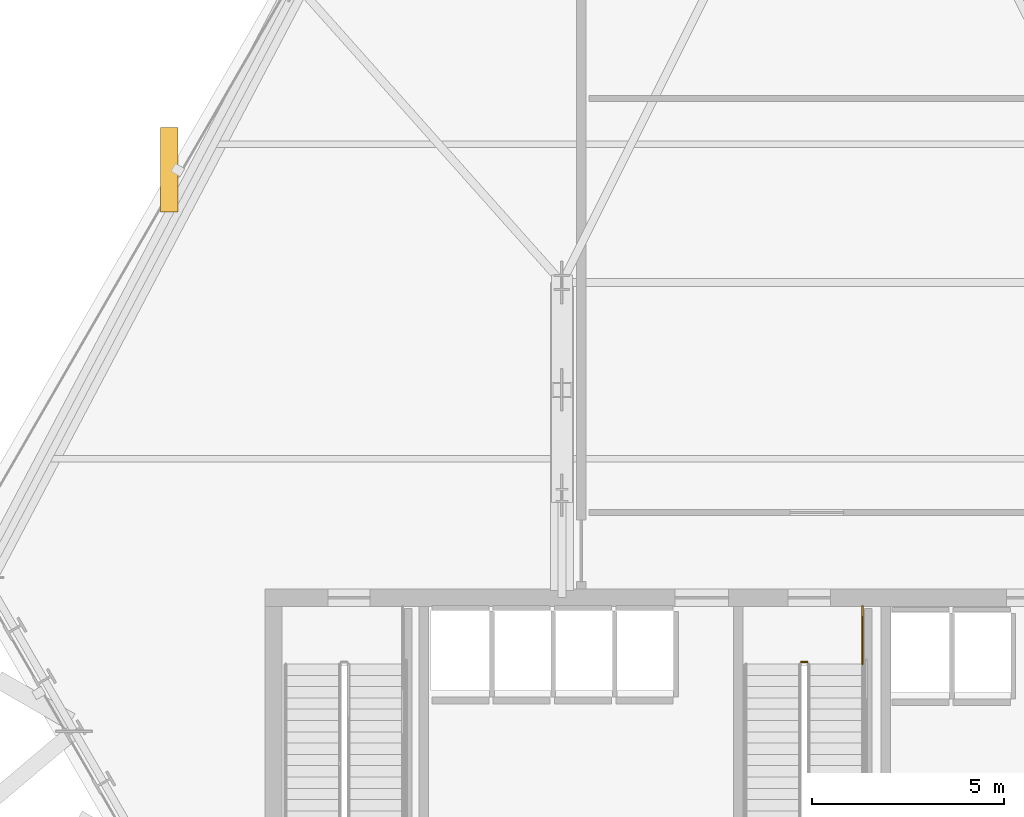
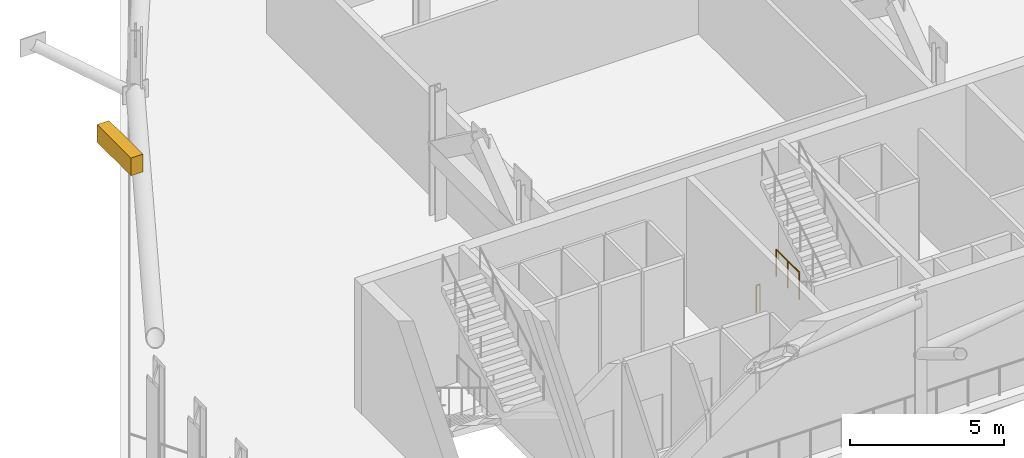
# One storey, part 8 of 11: 2 railings, 1 shading device.
"""IFC4 building model written with IfcOpenShell, lengths in metres."""

from ifc_helpers import new_model, si_unit, direction, frame, origin, origin_2d, place, context, subcontext, project, spatial, rectangle, circle, extrude, material, layer, layer_set, type_object, element, save


model = new_model("IFC4")

# Units and contexts
model_context = context("Model", 3, precision=1e-05, world=origin(), true_north=direction((0.0, 1.0)))
body_context = subcontext(model_context, "Body", "Model", "MODEL_VIEW")
ifc_project = project(units=[si_unit("LENGTHUNIT", "METRE"), si_unit("AREAUNIT", "SQUARE_METRE"), si_unit("VOLUMEUNIT", "CUBIC_METRE"), si_unit("PLANEANGLEUNIT", "RADIAN"), si_unit("MASSUNIT", "GRAM", prefix="KILO")], contexts=[model_context])

# Site, building, storey
site_placement = place(None, origin())
site = spatial("IfcSite", under=ifc_project, at=site_placement, CompositionType="ELEMENT")
building_placement = place(site_placement, origin())
building = spatial("IfcBuilding", under=site, at=building_placement, Name="Ndaravel Arena Tower", CompositionType="ELEMENT")
storey_placement = place(building_placement, frame((0.0, 0.0, 112.0)))
storey = spatial("IfcBuildingStorey", under=building, at=storey_placement, Name="L26", CompositionType="ELEMENT", Elevation=112.0)

# Railings
ifc_material_1 = material(Name="Steel S355", Category="steel")
ifc_layer = layer(ifc_material_1, 0.06005859375)
ifc_layer_set = layer_set([ifc_layer], Name="Steel S355")
railing_type = type_object("IfcRailingType", Name="RAIL-STAIR-GD1100", PredefinedType="GUARDRAIL", material=ifc_layer_set)
railing_1_placement = place(storey_placement, frame((40.449951171875, 13.300048828125, 0.0)))
element("IfcRailing", 1, at=railing_1_placement, inside=storey, type_object=railing_type, Name="L26 ST-2 stair guard 4", PredefinedType="GUARDRAIL", context=body_context, shape_type="SweptSolid", body=[
    extrude(circle(Radius=0.02392578125, at=origin_2d()), frame((0.0, 0.0, 1.076171875), z_axis=(1.0, 0.0, 0.0), x_axis=(0.0, 1.0, 0.0)), (0.0, 0.0, 1.0), 0.14013671875),
    extrude(circle(Radius=0.02099609375, at=origin_2d()), origin(), (0.0, 0.0, 1.0), 1.052001953125),
    extrude(circle(Radius=0.02099609375, at=origin_2d()), frame((0.14013671875, 0.0, 0.0)), (0.0, 0.0, 1.0), 1.052001953125),
])
railing_2_placement = place(storey_placement, frame((42.0400390625, 14.75, 0.0)))
element("IfcRailing", 2, at=railing_2_placement, inside=storey, type_object=railing_type, Name="L26 ST-2 stair guard 5", PredefinedType="GUARDRAIL", context=body_context, shape_type="SweptSolid", body=[
    extrude(circle(Radius=0.02392578125, at=origin_2d()), frame((0.0, 0.0, 1.076171875), z_axis=(0.0, -1.0, 0.0), x_axis=(1.0, 0.0, 0.0)), (0.0, 0.0, 1.0), 1.5),
    extrude(circle(Radius=0.02099609375, at=origin_2d()), origin(), (0.0, 0.0, 1.0), 1.052001953125),
    extrude(circle(Radius=0.02099609375, at=origin_2d()), frame((0.0, -0.75, 0.0)), (0.0, 0.0, 1.0), 1.052001953125),
    extrude(circle(Radius=0.02099609375, at=origin_2d()), frame((0.0, -1.5, 0.0)), (0.0, 0.0, 1.0), 1.052001953125),
])

# Shading device
ifc_material_2 = material(Name="Aluminium", Category="aluminium")
shading_device_type = type_object("IfcShadingDeviceType", Name="SHD-WIND-LOUVRE", PredefinedType="JALOUSIE", material=ifc_material_2)
shading_device_placement = place(storey_placement, frame((23.95654296875, 26.14306640625, 4.169921875), z_axis=(0.0, 0.0, 1.0), x_axis=(-1.0, 0.0, 0.0)))
element("IfcShadingDevice", 3, at=shading_device_placement, inside=storey, type_object=shading_device_type, Name="L26 Wind-Floor Acoustic Louvre 5.2", PredefinedType="JALOUSIE", context=body_context, shape_type="SweptSolid", body=[
    extrude(rectangle(XDim=0.449951171875, YDim=2.199951171875, at=origin_2d()), origin(), (0.0, 0.0, 1.0), 0.699951171875),
])

save(model, "model.ifc")
